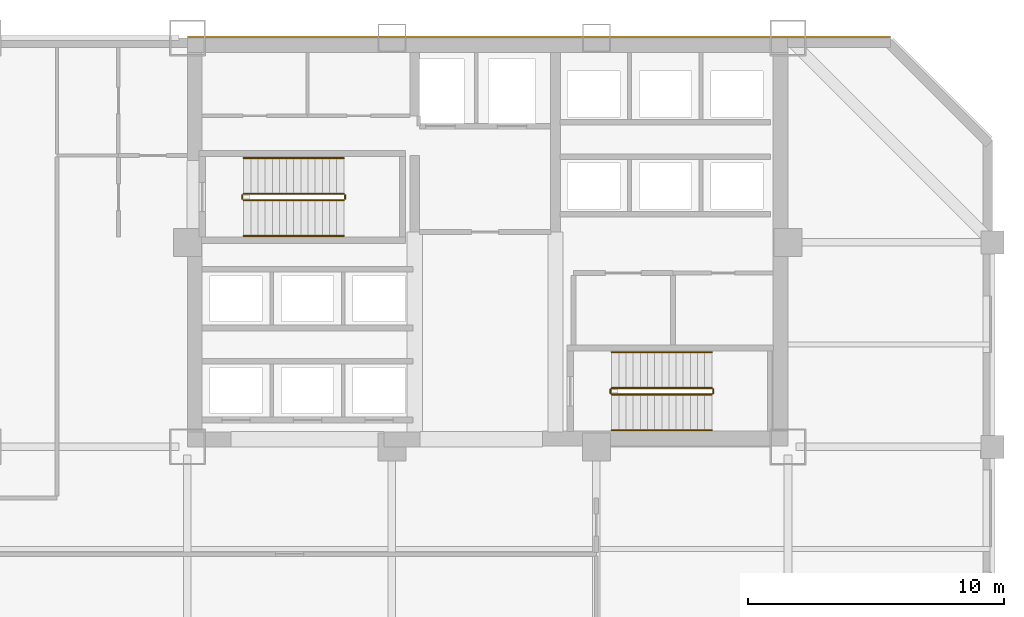
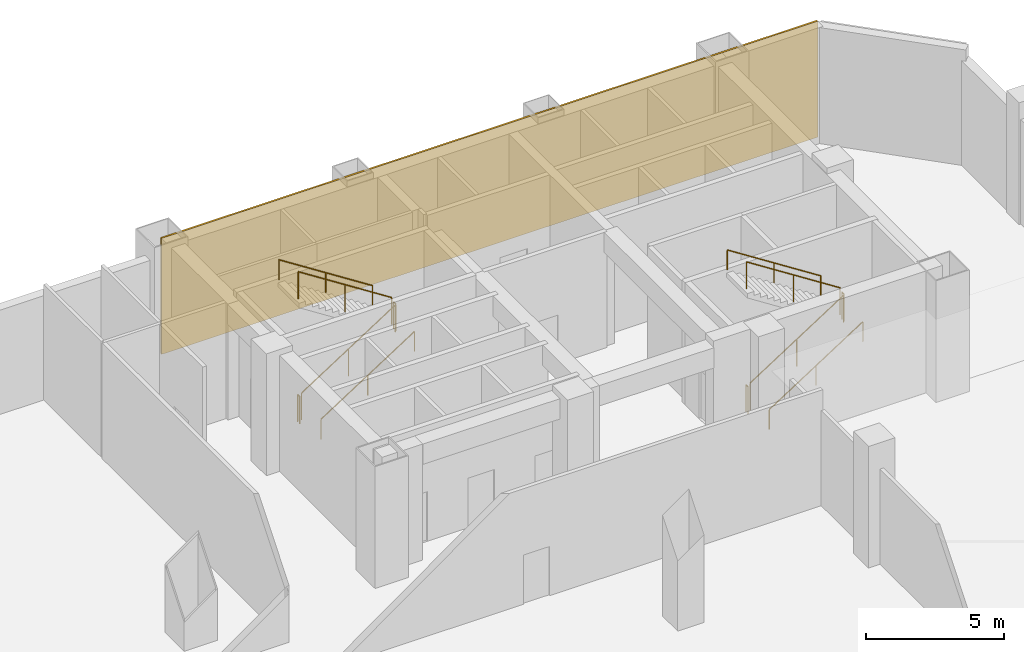
# One storey, part 9 of 10: 12 railings, 1 covering.
"""IFC4 building model written with IfcOpenShell, lengths in metres."""

import ifcopenshell
import ifcopenshell.guid

model = None  # the IFC model being written
_history = None  # IfcOwnerHistory: only IFC2X3 demands one
_inside = {}  # id of a spatial element -> (the spatial element, [elements in it])
_under = {}  # id of a project, library or spatial element -> (it, [spatial elements below it])
_declared = {}  # id of a project -> (the project, [libraries it declares])
_typed = {}  # id of a type object -> (the type object, [elements of that type])
_made_of = {}  # id of a material, layer set ... -> (it, [elements and type objects made of it])


def new_model(schema):
    """Start an empty IFC model of exactly this schema.

    Asked for "IFC4X3", IfcOpenShell would pick the latest addendum, in which some entities
    have other attributes; the version numbers below select the first issue.
    IFC2X3 requires an IfcOwnerHistory on every rooted entity: one is made here for all.
    """
    global model, _history
    if schema == "IFC4X3":
        model = ifcopenshell.file(schema_version=(4, 3, 0, 0))
    else:
        model = ifcopenshell.file(schema=schema)
    _inside.clear()
    _under.clear()
    _declared.clear()
    _typed.clear()
    _made_of.clear()
    _history = None
    if model.schema == "IFC2X3":
        org = make("IfcOrganization", Name="unknown")
        user = make(
            "IfcPersonAndOrganization",
            ThePerson=make("IfcPerson", FamilyName="unknown"),
            TheOrganization=org,
        )
        app = make(
            "IfcApplication",
            ApplicationDeveloper=org,
            Version="unknown",
            ApplicationFullName="unknown",
            ApplicationIdentifier="unknown",
        )
        _history = make(
            "IfcOwnerHistory",
            OwningUser=user,
            OwningApplication=app,
            ChangeAction="ADDED",
            CreationDate=0,
        )
    return model


def make(cls, **values):
    """One entity of the class cls with the attributes given. An attribute that is None is left unset."""
    return model.create_entity(
        cls, **{name: value for name, value in values.items() if value is not None}
    )


def rooted(cls, **values):
    """An entity with a GlobalId (a new one), such as an element, a storey or a relation."""
    return make(cls, GlobalId=ifcopenshell.guid.new(), OwnerHistory=_history, **values)


def si_unit(unit_type, name, prefix=None):
    """IfcSIUnit, for example si_unit("LENGTHUNIT", "METRE", prefix="MILLI")."""
    return make("IfcSIUnit", UnitType=unit_type, Prefix=prefix, Name=name)


def assignment(units):
    """IfcUnitAssignment: the units of a project."""
    return None if units is None else make("IfcUnitAssignment", Units=units)


def point(xyz):
    """IfcCartesianPoint."""
    return None if xyz is None else make("IfcCartesianPoint", Coordinates=xyz)


def direction(xyz):
    """IfcDirection."""
    return None if xyz is None else make("IfcDirection", DirectionRatios=xyz)


def frame(location, z_axis=None, x_axis=None):
    """IfcAxis2Placement3D, a coordinate frame: its origin and axes. An axis left out is left unset."""
    return make(
        "IfcAxis2Placement3D",
        Location=point(location),
        Axis=direction(z_axis),
        RefDirection=direction(x_axis),
    )


def frame_2d(location, x_axis=None):
    """IfcAxis2Placement2D, a coordinate frame in the plane: its origin and x axis."""
    return make(
        "IfcAxis2Placement2D", Location=point(location), RefDirection=direction(x_axis)
    )


def origin():
    """The frame at (0, 0, 0) with its axes left unset."""
    return frame((0.0, 0.0, 0.0))


def origin_2d():
    """The frame at (0, 0) in the plane with its x axis left unset."""
    return frame_2d((0.0, 0.0))


def place(relative_to, where):
    """IfcLocalPlacement: puts the frame where relative to a parent placement (None: the world)."""
    return make(
        "IfcLocalPlacement", PlacementRelTo=relative_to, RelativePlacement=where
    )


def context(
    kind, dimensions, precision=None, world=None, true_north=None, identifier=None
):
    """IfcGeometricRepresentationContext, for example the 3D "Model" context."""
    return make(
        "IfcGeometricRepresentationContext",
        ContextIdentifier=identifier,
        ContextType=kind,
        CoordinateSpaceDimension=dimensions,
        Precision=precision,
        WorldCoordinateSystem=world,
        TrueNorth=true_north,
    )


def subcontext(parent, identifier, kind, view, scale=None):
    """IfcGeometricRepresentationSubContext, for example "Body" below "Model"."""
    return make(
        "IfcGeometricRepresentationSubContext",
        ContextIdentifier=identifier,
        ContextType=kind,
        ParentContext=parent,
        TargetScale=scale,
        TargetView=view,
    )


def project(units=None, contexts=None):
    """IfcProject with its units and contexts."""
    return rooted(
        "IfcProject",
        Name="project",
        RepresentationContexts=contexts,
        UnitsInContext=assignment(units),
    )


def spatial(cls, under=None, at=None, **own):
    """A site, building, storey or space (cls), placed at a placement, below another one or the project."""
    s = rooted(cls, ObjectPlacement=at, **own)
    if under is not None:
        _under.setdefault(under.id(), (under, []))[1].append(s)
    return s


def profile(cls, at=None, kind="AREA", **sizes):
    """A parametric profile (cls). Its sizes go by their IFC names, for example OverallWidth=200.0."""
    return make(cls, ProfileType=kind, Position=at, **sizes)


def rectangle(**sizes):
    """IfcRectangleProfileDef."""
    return profile("IfcRectangleProfileDef", **sizes)


def circle(**sizes):
    """IfcCircleProfileDef."""
    return profile("IfcCircleProfileDef", **sizes)


def extrude(swept, where, along, depth):
    """IfcExtrudedAreaSolid: the profile swept, set in the frame where, extruded along a direction by depth."""
    return make(
        "IfcExtrudedAreaSolid",
        SweptArea=swept,
        Position=where,
        ExtrudedDirection=direction(along),
        Depth=depth,
    )


def shape(context_of_items, identifier, shape_type, items):
    """IfcShapeRepresentation: the items that make up one representation, for example the "Body"."""
    return make(
        "IfcShapeRepresentation",
        ContextOfItems=context_of_items,
        RepresentationIdentifier=identifier,
        RepresentationType=shape_type,
        Items=items,
    )


def material(Name=None, Category=None):
    """IfcMaterial."""
    return make("IfcMaterial", Name=Name, Category=Category)


def layer(
    of_material, thickness, ventilated=None, Name=None, Category=None, Priority=None
):
    """IfcMaterialLayer: one layer of a wall or slab, of a material (None: an air gap)."""
    return make(
        "IfcMaterialLayer",
        Material=of_material,
        LayerThickness=thickness,
        IsVentilated=ventilated,
        Name=Name,
        Category=Category,
        Priority=Priority,
    )


def layer_set(layers, Name=None):
    """IfcMaterialLayerSet."""
    return make("IfcMaterialLayerSet", MaterialLayers=layers, LayerSetName=Name)


def made_of(thing, what):
    """Note that an element or type object is made of a material, layer set ...; save() writes the relation."""
    if what is not None:
        _made_of.setdefault(what.id(), (what, []))[1].append(thing)
    return thing


def type_object(cls, material=None, **own):
    """A type object (cls), such as IfcWallType, which elements share."""
    return made_of(rooted(cls, **own), material)


def element(
    cls,
    number,
    at=None,
    inside=None,
    cuts=None,
    type_object=None,
    material=None,
    context=None,
    identifier="Body",
    shape_type=None,
    held_by="IfcProductDefinitionShape",
    body=None,
    shapes=None,
    **own,
):
    """One element of the class cls, such as IfcWall. Its Tag is "e" and its number.

    at: its placement. inside: the storey or other place that contains it. cuts: it is an
    opening in that element (IfcRelVoidsElement). A single representation is given by context,
    identifier, shape_type and body (its items); several are given by shapes. held_by: the class
    of the entity that holds the representations. save() writes the other relations.
    """
    e = rooted(cls, Tag="e%d" % number, ObjectPlacement=at, **own)
    if body is not None:
        shapes = [shape(context, identifier, shape_type, body)]
    if shapes is not None:
        e.Representation = make(held_by, Representations=shapes)
    if inside is not None:
        _inside.setdefault(inside.id(), (inside, []))[1].append(e)
    if cuts is not None:
        rooted(
            "IfcRelVoidsElement", RelatingBuildingElement=cuts, RelatedOpeningElement=e
        )
    if type_object is not None:
        _typed.setdefault(type_object.id(), (type_object, []))[1].append(e)
    return made_of(e, material)


def aggregate(whole, parts):
    """IfcRelAggregates: a whole, such as a stair, and the parts it consists of."""
    return rooted("IfcRelAggregates", RelatingObject=whole, RelatedObjects=parts)


def save(model, path):
    """Write the relations noted so far, then the file.

    IfcRelAggregates (storeys below a building ...), IfcRelContainedInSpatialStructure (elements
    in a storey), IfcRelDefinesByType, IfcRelAssociatesMaterial and IfcRelDeclares: one each for
    every whole, place, type object, material and project.
    """
    for whole, parts in _under.values():
        aggregate(whole, parts)
    for where, things in _inside.values():
        rooted(
            "IfcRelContainedInSpatialStructure",
            RelatedElements=things,
            RelatingStructure=where,
        )
    for kind, things in _typed.values():
        rooted("IfcRelDefinesByType", RelatedObjects=things, RelatingType=kind)
    for what, things in _made_of.values():
        rooted("IfcRelAssociatesMaterial", RelatedObjects=things, RelatingMaterial=what)
    for by, libraries in _declared.values():
        rooted("IfcRelDeclares", RelatingContext=by, RelatedDefinitions=libraries)
    model.write(path)


model = new_model("IFC4")

# Units and contexts
model_context = context("Model", 3, precision=1e-05, world=origin(), true_north=direction((0.0, 1.0)))
body_context = subcontext(model_context, "Body", "Model", "MODEL_VIEW")
ifc_project = project(units=[si_unit("LENGTHUNIT", "METRE"), si_unit("AREAUNIT", "SQUARE_METRE"), si_unit("VOLUMEUNIT", "CUBIC_METRE"), si_unit("PLANEANGLEUNIT", "RADIAN"), si_unit("MASSUNIT", "GRAM", prefix="KILO")], contexts=[model_context])

# Site, building, storey
site_placement = place(None, origin())
site = spatial("IfcSite", under=ifc_project, at=site_placement, CompositionType="ELEMENT")
building_placement = place(site_placement, origin())
building = spatial("IfcBuilding", under=site, at=building_placement, Name="Qianrong Seaharbour Tower", CompositionType="ELEMENT")
storey_placement = place(building_placement, frame((0.0, 0.0, 17.39990234375)))
storey = spatial("IfcBuildingStorey", under=building, at=storey_placement, Name="L04", CompositionType="ELEMENT", Elevation=17.39990234375)

# Covering
ifc_material_1 = material(Name="Unitised red brick cladding on Precast concrete C45/55", Category="masonry")
ifc_layer = layer(ifc_material_1, 0.080078125)
ifc_layer_set = layer_set([ifc_layer], Name="Unitised red brick cladding on Precast concrete C45/55")
covering_type = type_object("IfcCoveringType", Name="COV-CLAD-RED-BRICK-80", PredefinedType="CLADDING", material=ifc_layer_set)
covering_placement = place(storey_placement, frame((54.25, 52.0400390625, 0.0), z_axis=(0.0, 0.0, 1.0), x_axis=(1.0, 0.0, 0.0)))
element("IfcCovering", 1, at=covering_placement, inside=storey, type_object=covering_type, Name="L04 North Core Brick Veneer Cladding", PredefinedType="CLADDING", context=body_context, shape_type="SweptSolid", body=[
    extrude(rectangle(XDim=27.5, YDim=0.080078125, at=origin_2d()), origin(), (0.0, 0.0, 1.0), 5.139892578125),
])

# Railings
ifc_material_2 = material(Name="Galvanized painted steel SN400B stair guard", Category="steel")
railing_type_1 = type_object("IfcRailingType", Name="RAIL-STAIR-GUARD-1220", PredefinedType="GUARDRAIL", material=ifc_material_2)
railing_1_placement = place(storey_placement, frame((42.699951171875, 45.64990234375, 0.18017578125)))
element("IfcRailing", 2, at=railing_1_placement, inside=storey, type_object=railing_type_1, Name="L04 ST-1 stair guard 1", PredefinedType="GUARDRAIL", context=body_context, shape_type="SweptSolid", body=[
    extrude(circle(Radius=0.02392578125, at=origin_2d()), frame((0.0, 0.0, 1.19580078125), z_axis=(0.841186985886, 0.0, 0.540744352514), x_axis=(0.0, 1.0, 0.0)), (0.0, 0.0, 1.0), 4.660400390625),
    extrude(circle(Radius=0.02099609375, at=origin_2d()), origin(), (0.0, 0.0, 1.0), 1.171875),
    extrude(circle(Radius=0.02099609375, at=origin_2d()), frame((1.9599609375, 0.0, 1.260009765625)), (0.0, 0.0, 1.0), 1.171875),
    extrude(circle(Radius=0.02099609375, at=origin_2d()), frame((3.920166015625, 0.0, 2.52001953125)), (0.0, 0.0, 1.0), 1.171875),
])
railing_2_placement = place(storey_placement, frame((46.669921875, 45.699951171875, 2.7001953125)))
element("IfcRailing", 3, at=railing_2_placement, inside=storey, type_object=railing_type_1, Name="L04 ST-1 stair guard 2", PredefinedType="GUARDRAIL", context=body_context, shape_type="SweptSolid", body=[
    extrude(circle(Radius=0.02392578125, at=origin_2d()), frame((0.0, 0.0, 1.19580078125), z_axis=(0.0, 1.0, 0.0), x_axis=(-1.0, 0.0, 0.0)), (0.0, 0.0, 1.0), 0.150146484375),
    extrude(circle(Radius=0.02099609375, at=origin_2d()), origin(), (0.0, 0.0, 1.0), 1.171875),
    extrude(circle(Radius=0.02099609375, at=origin_2d()), frame((0.0, 0.150146484375, 0.0)), (0.0, 0.0, 1.0), 1.171875),
])
railing_3_placement = place(storey_placement, frame((46.6201171875, 45.89990234375, 2.880126953125)))
element("IfcRailing", 4, at=railing_3_placement, inside=storey, type_object=railing_type_1, Name="L04 ST-1 stair guard 3", PredefinedType="GUARDRAIL", context=body_context, shape_type="SweptSolid", body=[
    extrude(circle(Radius=0.02392578125, at=origin_2d()), frame((0.0, 0.0, 1.19580078125), z_axis=(-0.841186985886, 0.0, 0.540744352514), x_axis=(0.0, -1.0, 0.0)), (0.0, 0.0, 1.0), 4.660400390625),
    extrude(circle(Radius=0.02099609375, at=origin_2d()), origin(), (0.0, 0.0, 1.0), 1.171875),
    extrude(circle(Radius=0.02099609375, at=origin_2d()), frame((-1.9599609375, 0.0, 1.260009765625)), (0.0, 0.0, 1.0), 1.171875),
    extrude(circle(Radius=0.02099609375, at=origin_2d()), frame((-3.920166015625, 0.0, 2.52001953125)), (0.0, 0.0, 1.0), 1.171875),
])
railing_4_placement = place(storey_placement, frame((42.64990234375, 45.699951171875, 0.0)))
element("IfcRailing", 5, at=railing_4_placement, inside=storey, type_object=railing_type_1, Name="L04 ST-1 stair guard 4", PredefinedType="GUARDRAIL", context=body_context, shape_type="SweptSolid", body=[
    extrude(circle(Radius=0.02392578125, at=origin_2d()), frame((0.0, 0.0, 1.19580078125), z_axis=(0.0, 1.0, 0.0), x_axis=(-1.0, 0.0, 0.0)), (0.0, 0.0, 1.0), 0.150146484375),
    extrude(circle(Radius=0.02099609375, at=origin_2d()), origin(), (0.0, 0.0, 1.0), 1.171875),
    extrude(circle(Radius=0.02099609375, at=origin_2d()), frame((0.0, 0.150146484375, 0.0)), (0.0, 0.0, 1.0), 1.171875),
])
railing_5_placement = place(storey_placement, frame((57.10009765625, 38.050048828125, 0.18017578125)))
element("IfcRailing", 6, at=railing_5_placement, inside=storey, type_object=railing_type_1, Name="L04 ST-2 stair guard 1", PredefinedType="GUARDRAIL", context=body_context, shape_type="SweptSolid", body=[
    extrude(circle(Radius=0.02392578125, at=origin_2d()), frame((0.0, 0.0, 1.19580078125), z_axis=(0.841171666519, 0.0, 0.540768182723), x_axis=(0.0, 1.0, 0.0)), (0.0, 0.0, 1.0), 4.66015625),
    extrude(circle(Radius=0.02099609375, at=origin_2d()), origin(), (0.0, 0.0, 1.0), 1.171875),
    extrude(circle(Radius=0.02099609375, at=origin_2d()), frame((1.9599609375, 0.0, 1.260009765625)), (0.0, 0.0, 1.0), 1.171875),
    extrude(circle(Radius=0.02099609375, at=origin_2d()), frame((3.919921875, 0.0, 2.52001953125)), (0.0, 0.0, 1.0), 1.171875),
])
railing_6_placement = place(storey_placement, frame((61.070068359375, 38.10009765625, 2.7001953125)))
element("IfcRailing", 7, at=railing_6_placement, inside=storey, type_object=railing_type_1, Name="L04 ST-2 stair guard 2", PredefinedType="GUARDRAIL", context=body_context, shape_type="SweptSolid", body=[
    extrude(circle(Radius=0.02392578125, at=origin_2d()), frame((0.0, 0.0, 1.19580078125), z_axis=(0.0, 1.0, 0.0), x_axis=(-1.0, 0.0, 0.0)), (0.0, 0.0, 1.0), 0.14990234375),
    extrude(circle(Radius=0.02099609375, at=origin_2d()), origin(), (0.0, 0.0, 1.0), 1.171875),
    extrude(circle(Radius=0.02099609375, at=origin_2d()), frame((0.0, 0.14990234375, 0.0)), (0.0, 0.0, 1.0), 1.171875),
])
railing_7_placement = place(storey_placement, frame((61.02001953125, 38.300048828125, 2.880126953125)))
element("IfcRailing", 8, at=railing_7_placement, inside=storey, type_object=railing_type_1, Name="L04 ST-2 stair guard 3", PredefinedType="GUARDRAIL", context=body_context, shape_type="SweptSolid", body=[
    extrude(circle(Radius=0.02392578125, at=origin_2d()), frame((0.0, 0.0, 1.19580078125), z_axis=(-0.841171666519, 0.0, 0.540768182723), x_axis=(0.0, -1.0, 0.0)), (0.0, 0.0, 1.0), 4.66015625),
    extrude(circle(Radius=0.02099609375, at=origin_2d()), origin(), (0.0, 0.0, 1.0), 1.171875),
    extrude(circle(Radius=0.02099609375, at=origin_2d()), frame((-1.9599609375, 0.0, 1.260009765625)), (0.0, 0.0, 1.0), 1.171875),
    extrude(circle(Radius=0.02099609375, at=origin_2d()), frame((-3.919921875, 0.0, 2.52001953125)), (0.0, 0.0, 1.0), 1.171875),
])
railing_8_placement = place(storey_placement, frame((57.050048828125, 38.10009765625, 0.0)))
element("IfcRailing", 9, at=railing_8_placement, inside=storey, type_object=railing_type_1, Name="L04 ST-2 stair guard 4", PredefinedType="GUARDRAIL", context=body_context, shape_type="SweptSolid", body=[
    extrude(circle(Radius=0.02392578125, at=origin_2d()), frame((0.0, 0.0, 1.19580078125), z_axis=(0.0, 1.0, 0.0), x_axis=(-1.0, 0.0, 0.0)), (0.0, 0.0, 1.0), 0.14990234375),
    extrude(circle(Radius=0.02099609375, at=origin_2d()), origin(), (0.0, 0.0, 1.0), 1.171875),
    extrude(circle(Radius=0.02099609375, at=origin_2d()), frame((0.0, 0.14990234375, 0.0)), (0.0, 0.0, 1.0), 1.171875),
])
ifc_material_3 = material(Name="Stainless steel SUS316L continuous handrail", Category="steel")
railing_type_2 = type_object("IfcRailingType", Name="RAIL-STAIR-HANDRAIL-900", PredefinedType="HANDRAIL", material=ifc_material_3)
railing_9_placement = place(storey_placement, frame((42.699951171875, 44.25, 0.18017578125)))
element("IfcRailing", 10, at=railing_9_placement, inside=storey, type_object=railing_type_2, Name="L04 ST-1 stair handrail 1", PredefinedType="HANDRAIL", context=body_context, shape_type="SweptSolid", body=[
    extrude(circle(Radius=0.02392578125, at=origin_2d()), frame((0.0, 0.0, 0.8759765625), z_axis=(0.841186985886, 0.0, 0.540744352514), x_axis=(0.0, 1.0, 0.0)), (0.0, 0.0, 1.0), 4.660400390625),
    extrude(circle(Radius=0.02099609375, at=origin_2d()), origin(), (0.0, 0.0, 1.0), 0.851806640625),
    extrude(circle(Radius=0.02099609375, at=origin_2d()), frame((1.9599609375, 0.0, 1.260009765625)), (0.0, 0.0, 1.0), 0.851806640625),
    extrude(circle(Radius=0.02099609375, at=origin_2d()), frame((3.920166015625, 0.0, 2.52001953125)), (0.0, 0.0, 1.0), 0.851806640625),
])
railing_10_placement = place(storey_placement, frame((46.6201171875, 47.300048828125, 2.880126953125)))
element("IfcRailing", 11, at=railing_10_placement, inside=storey, type_object=railing_type_2, Name="L04 ST-1 stair handrail 2", PredefinedType="HANDRAIL", context=body_context, shape_type="SweptSolid", body=[
    extrude(circle(Radius=0.02392578125, at=origin_2d()), frame((0.0, 0.0, 0.8759765625), z_axis=(-0.841186985886, 0.0, 0.540744352514), x_axis=(0.0, -1.0, 0.0)), (0.0, 0.0, 1.0), 4.660400390625),
    extrude(circle(Radius=0.02099609375, at=origin_2d()), origin(), (0.0, 0.0, 1.0), 0.851806640625),
    extrude(circle(Radius=0.02099609375, at=origin_2d()), frame((-1.9599609375, 0.0, 1.260009765625)), (0.0, 0.0, 1.0), 0.851806640625),
    extrude(circle(Radius=0.02099609375, at=origin_2d()), frame((-3.920166015625, 0.0, 2.52001953125)), (0.0, 0.0, 1.0), 0.851806640625),
])
railing_11_placement = place(storey_placement, frame((57.10009765625, 36.64990234375, 0.18017578125)))
element("IfcRailing", 12, at=railing_11_placement, inside=storey, type_object=railing_type_2, Name="L04 ST-2 stair handrail 1", PredefinedType="HANDRAIL", context=body_context, shape_type="SweptSolid", body=[
    extrude(circle(Radius=0.02392578125, at=origin_2d()), frame((0.0, 0.0, 0.8759765625), z_axis=(0.841171666519, 0.0, 0.540768182723), x_axis=(0.0, 1.0, 0.0)), (0.0, 0.0, 1.0), 4.66015625),
    extrude(circle(Radius=0.02099609375, at=origin_2d()), origin(), (0.0, 0.0, 1.0), 0.851806640625),
    extrude(circle(Radius=0.02099609375, at=origin_2d()), frame((1.9599609375, 0.0, 1.260009765625)), (0.0, 0.0, 1.0), 0.851806640625),
    extrude(circle(Radius=0.02099609375, at=origin_2d()), frame((3.919921875, 0.0, 2.52001953125)), (0.0, 0.0, 1.0), 0.851806640625),
])
railing_12_placement = place(storey_placement, frame((61.02001953125, 39.699951171875, 2.880126953125)))
element("IfcRailing", 13, at=railing_12_placement, inside=storey, type_object=railing_type_2, Name="L04 ST-2 stair handrail 2", PredefinedType="HANDRAIL", context=body_context, shape_type="SweptSolid", body=[
    extrude(circle(Radius=0.02392578125, at=origin_2d()), frame((0.0, 0.0, 0.8759765625), z_axis=(-0.841171666519, 0.0, 0.540768182723), x_axis=(0.0, -1.0, 0.0)), (0.0, 0.0, 1.0), 4.66015625),
    extrude(circle(Radius=0.02099609375, at=origin_2d()), origin(), (0.0, 0.0, 1.0), 0.851806640625),
    extrude(circle(Radius=0.02099609375, at=origin_2d()), frame((-1.9599609375, 0.0, 1.260009765625)), (0.0, 0.0, 1.0), 0.851806640625),
    extrude(circle(Radius=0.02099609375, at=origin_2d()), frame((-3.919921875, 0.0, 2.52001953125)), (0.0, 0.0, 1.0), 0.851806640625),
])

save(model, "model.ifc")
